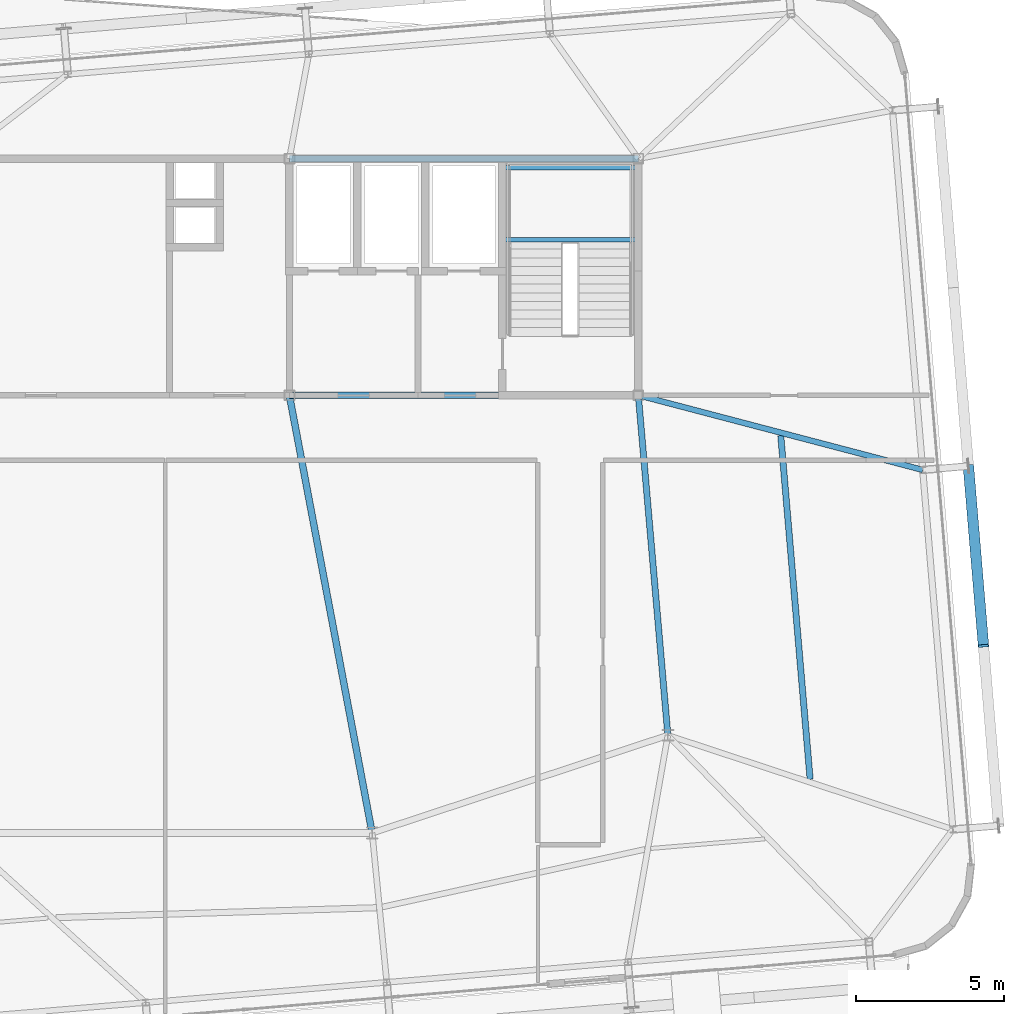
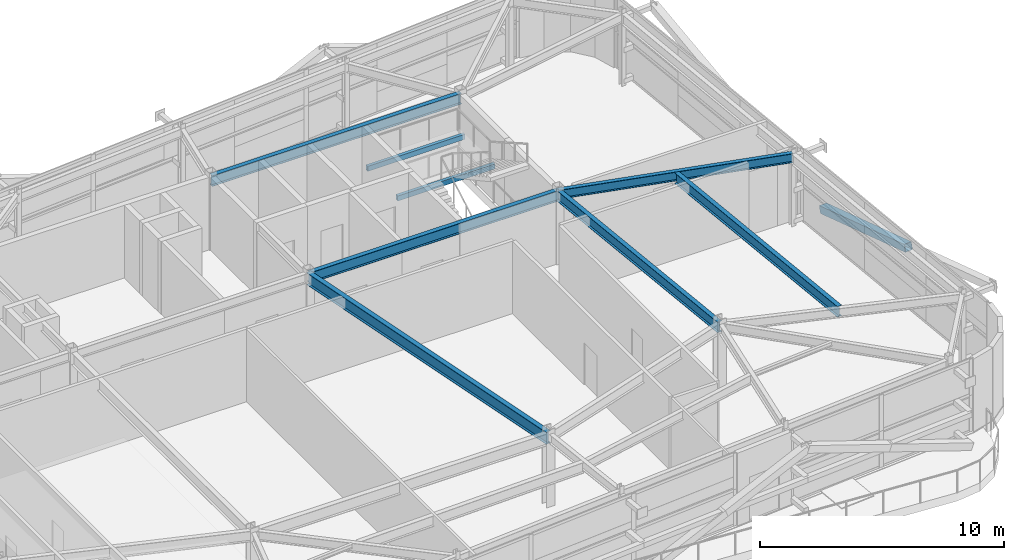
# One storey, part 17 of 38: 8 beams, 1 member.
"""IFC4 building model written with IfcOpenShell, lengths in metres."""

from ifc_helpers import new_model, si_unit, direction, frame, origin, origin_2d, place, context, subcontext, project, spatial, hollow_rectangle, i_section, extrude, source, transform, mapped, material, material_profile, profile_set, type_object, element, save


model = new_model("IFC4")

# Units and contexts
model_context = context("Model", 3, precision=1e-05, world=origin(), true_north=direction((0.0, 1.0)))
body_context = subcontext(model_context, "Body", "Model", "MODEL_VIEW")
ifc_project = project(units=[si_unit("LENGTHUNIT", "METRE"), si_unit("AREAUNIT", "SQUARE_METRE"), si_unit("VOLUMEUNIT", "CUBIC_METRE"), si_unit("PLANEANGLEUNIT", "RADIAN"), si_unit("MASSUNIT", "GRAM", prefix="KILO")], contexts=[model_context])

# Site, building, storey
site_placement = place(None, origin())
site = spatial("IfcSite", under=ifc_project, at=site_placement, CompositionType="ELEMENT")
building_placement = place(site_placement, origin())
building = spatial("IfcBuilding", under=site, at=building_placement, Name="Taldren Reach Tower", CompositionType="ELEMENT")
storey_placement = place(building_placement, frame((0.0, 0.0, 168.699951171875)))
storey = spatial("IfcBuildingStorey", under=building, at=storey_placement, Name="L51", CompositionType="ELEMENT", Elevation=168.699951171875)

# Beams
ifc_material_1 = material(Name="Steel Gr 350 (350PLUS)", Category="steel")
ifc_material_profile_1 = material_profile(ifc_material_1, i_section(OverallWidth=0.208984375, OverallDepth=0.532958984375, WebThickness=0.01025390625, FlangeThickness=0.015625, at=origin_2d()), Name="530UB92.4")
ifc_profile_set_1 = profile_set([ifc_material_profile_1], Name="Steel Gr 350 (350PLUS)")
beam_type_1 = type_object("IfcBeamType", Name="BM-UB530A", PredefinedType="BEAM", material=ifc_profile_set_1)
shared_shape_1 = source(origin(), body_context, "Body", "SweptSolid", [
    extrude(i_section(OverallWidth=0.208984375, OverallDepth=0.532958984375, WebThickness=0.01025390625, FlangeThickness=0.015625, at=origin_2d()), origin(), (0.0, 0.0, 1.0), 11.800048828125),
])
for number, where, z_axis, x_axis, name in (
    (1, (39.199951171875, 24.0, 3.363525390625), (1.0, 0.0, 0.0), (0.0, 1.0, 0.0), "Core-spine girder L51-SP03"),
    (2, (39.199951171875, 32.0, 3.363525390625), (1.0, 0.0, 0.0), (0.0, 1.0, 0.0), "Core-spine girder L51-SP06"),
):
    element("IfcBeam", number, at=place(storey_placement, frame(where, z_axis=z_axis, x_axis=x_axis)), inside=storey, type_object=beam_type_1, Name=name, PredefinedType="BEAM", context=body_context, shape_type="MappedRepresentation", body=[
        mapped(shared_shape_1, transform((0.0, 0.0, 0.0), scale=1.0)),
    ])
shared_shape_2 = source(origin(), body_context, "Body", "SweptSolid", [
    extrude(i_section(OverallWidth=0.208984375, OverallDepth=0.532958984375, WebThickness=0.01025390625, FlangeThickness=0.015625, at=origin_2d()), origin(), (0.0, 0.0, 1.0), 11.54345703125),
])
beam_1_placement = place(storey_placement, frame((52.0, 12.5, 3.363525390625), z_axis=(-0.086629616365, 0.996240588196, 0.0), x_axis=(-0.996240588196, -0.086629616365, 0.0)))
element("IfcBeam", 3, at=beam_1_placement, inside=storey, type_object=beam_type_1, Name="Core-spine girder L51-SP13", PredefinedType="BEAM", context=body_context, shape_type="MappedRepresentation", body=[
    mapped(shared_shape_2, transform((0.0, 0.0, 0.0), scale=1.0)),
])
ifc_material_profile_2 = material_profile(ifc_material_1, i_section(OverallWidth=0.22802734375, OverallDepth=0.60205078125, WebThickness=0.010498046875, FlangeThickness=0.014892578125, at=origin_2d()), Name="610UB101")
ifc_profile_set_2 = profile_set([ifc_material_profile_2], Name="Steel Gr 350 (350PLUS)")
beam_type_2 = type_object("IfcBeamType", Name="BM-UB610B", PredefinedType="BEAM", material=ifc_profile_set_2)
shared_shape_3 = source(origin(), body_context, "Body", "SweptSolid", [
    extrude(i_section(OverallWidth=0.22802734375, OverallDepth=0.60205078125, WebThickness=0.010498046875, FlangeThickness=0.014892578125, at=origin_2d()), origin(), (0.0, 0.0, 1.0), 15.0625),
])
beam_2_placement = place(storey_placement, frame((39.199951171875, 24.0, 3.3291015625), z_axis=(0.185894205668, -0.982569765614, 0.0), x_axis=(0.982569765614, 0.185894205668, 0.0)))
element("IfcBeam", 4, at=beam_2_placement, inside=storey, type_object=beam_type_2, Name="Core-spine girder L51-SP15", PredefinedType="BEAM", context=body_context, shape_type="MappedRepresentation", body=[
    mapped(shared_shape_3, transform((0.0, 0.0, 0.0), scale=1.0)),
])
ifc_material_profile_3 = material_profile(ifc_material_1, i_section(OverallWidth=0.19091796875, OverallDepth=0.4599609375, WebThickness=0.010009765625, FlangeThickness=0.01611328125, at=origin_2d()), Name="460UB82.1")
ifc_profile_set_3 = profile_set([ifc_material_profile_3], Name="Steel Gr 350 (350PLUS)")
beam_type_3 = type_object("IfcBeamType", Name="BM-UB460A", PredefinedType="BEAM", material=ifc_profile_set_3)
shared_shape_4 = source(origin(), body_context, "Body", "SweptSolid", [
    extrude(i_section(OverallWidth=0.19091796875, OverallDepth=0.4599609375, WebThickness=0.010009765625, FlangeThickness=0.01611328125, at=origin_2d()), origin(), (0.0, 0.0, 1.0), 9.943115234375),
])
beam_3_placement = place(storey_placement, frame((51.0, 24.0, 3.400146484375), z_axis=(0.967215285987, -0.253957851923, 0.0), x_axis=(0.253957851923, 0.967215285987, 0.0)))
element("IfcBeam", 5, at=beam_3_placement, inside=storey, type_object=beam_type_3, Name="Primary floor girder B4-E2 L51", PredefinedType="BEAM", context=body_context, shape_type="MappedRepresentation", body=[
    mapped(shared_shape_4, transform((0.0, 0.0, 0.0), scale=1.0)),
])
shared_shape_5 = source(origin(), body_context, "Body", "SweptSolid", [
    extrude(i_section(OverallWidth=0.208984375, OverallDepth=0.532958984375, WebThickness=0.01025390625, FlangeThickness=0.015625, at=origin_2d()), origin(), (0.0, 0.0, 1.0), 11.66650390625),
])
beam_4_placement = place(storey_placement, frame((56.810302734375, 11.01220703125, 3.363525390625), z_axis=(-0.085128704566, 0.996369963246, 0.0), x_axis=(-0.996369963246, -0.085128704566, 0.0)))
element("IfcBeam", 6, at=beam_4_placement, inside=storey, type_object=beam_type_1, Name="Secondary floor beam B4 J7 L51", PredefinedType="BEAM", context=body_context, shape_type="MappedRepresentation", body=[
    mapped(shared_shape_5, transform((0.0, 0.0, 0.0), scale=1.0)),
])

# Member
ifc_material_2 = material(Name="Steel Gr 450 (C450L0)", Category="steel")
ifc_material_profile_4 = material_profile(ifc_material_2, hollow_rectangle(XDim=0.360107421875, YDim=0.360107421875, WallThickness=0.0126953125, at=origin_2d()), Name="360x360x12.7SHS")
ifc_profile_set_4 = profile_set([ifc_material_profile_4], Name="Steel Gr 450 (C450L0)")
member_type = type_object("IfcMemberType", Name="MB-EXO356", PredefinedType="BRACE", material=ifc_profile_set_4)
shared_shape_6 = source(origin(), body_context, "Body", "SweptSolid", [
    extrude(hollow_rectangle(XDim=0.360107421875, YDim=0.360107421875, WallThickness=0.0126953125, at=origin_2d()), origin(), (0.0, 0.0, 1.0), 6.297607421875),
])
member_placement = place(storey_placement, frame((62.161865234375, 21.6044921875, 0.219970703125), z_axis=(0.081023612459, -0.965227704787, 0.248537023672), x_axis=(0.996495340012, 0.08364829547, 0.0)))
element("IfcMember", 7, at=member_placement, inside=storey, type_object=member_type, Name="Exoskeleton Diagrid Brace B4-E1 L51", PredefinedType="BRACE", context=body_context, shape_type="MappedRepresentation", body=[
    mapped(shared_shape_6, transform((0.0, 0.0, 0.0), scale=1.0)),
])

# Beams
ifc_material_3 = material(Name="Steel Gr 350 (C350L0)", Category="steel")
ifc_material_profile_5 = material_profile(ifc_material_3, hollow_rectangle(XDim=0.14990234375, YDim=0.25, WallThickness=0.009033203125, at=origin_2d()), Name="250x150x9.0RHS")
ifc_profile_set_5 = profile_set([ifc_material_profile_5], Name="Steel Gr 350 (C350L0)")
beam_type_4 = type_object("IfcBeamType", Name="LN-RHS250", PredefinedType="LINTEL", material=ifc_profile_set_5)
shared_shape_7 = source(origin(), body_context, "Body", "SweptSolid", [
    extrude(hollow_rectangle(XDim=0.14990234375, YDim=0.25, WallThickness=0.009033203125, at=origin_2d()), origin(), (0.0, 0.0, 1.0), 4.60009765625),
])
for number, where, z_axis, x_axis, name in (
    (8, (46.39990234375, 29.2548828125, 1.6201171875), (1.0, 0.0, 0.0), (0.0, 1.0, 0.0), "Stair half-landing support beam ST2-L51-1"),
    (9, (46.39990234375, 31.699951171875, 1.6201171875), (1.0, 0.0, 0.0), (0.0, 1.0, 0.0), "Stair half-landing support beam ST2-L51-2"),
):
    element("IfcBeam", number, at=place(storey_placement, frame(where, z_axis=z_axis, x_axis=x_axis)), inside=storey, type_object=beam_type_4, Name=name, PredefinedType="LINTEL", context=body_context, shape_type="MappedRepresentation", body=[
        mapped(shared_shape_7, transform((0.0, 0.0, 0.0), scale=1.0)),
    ])

save(model, "model.ifc")
